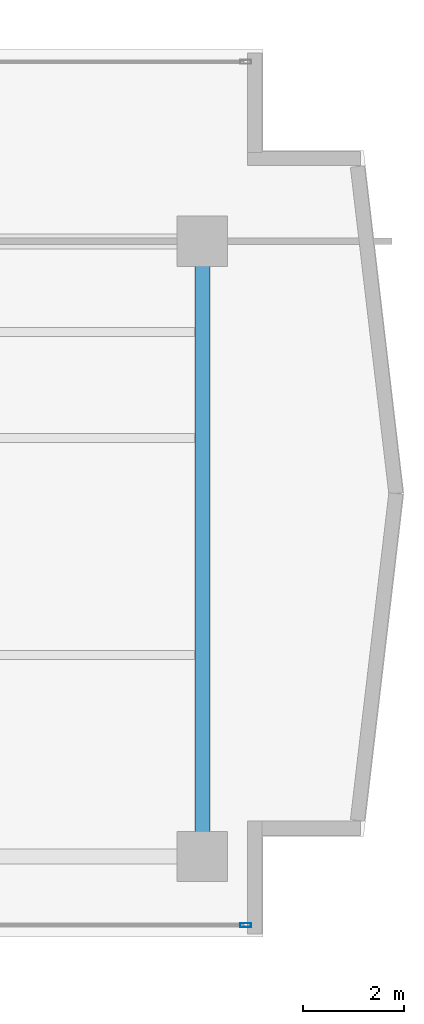
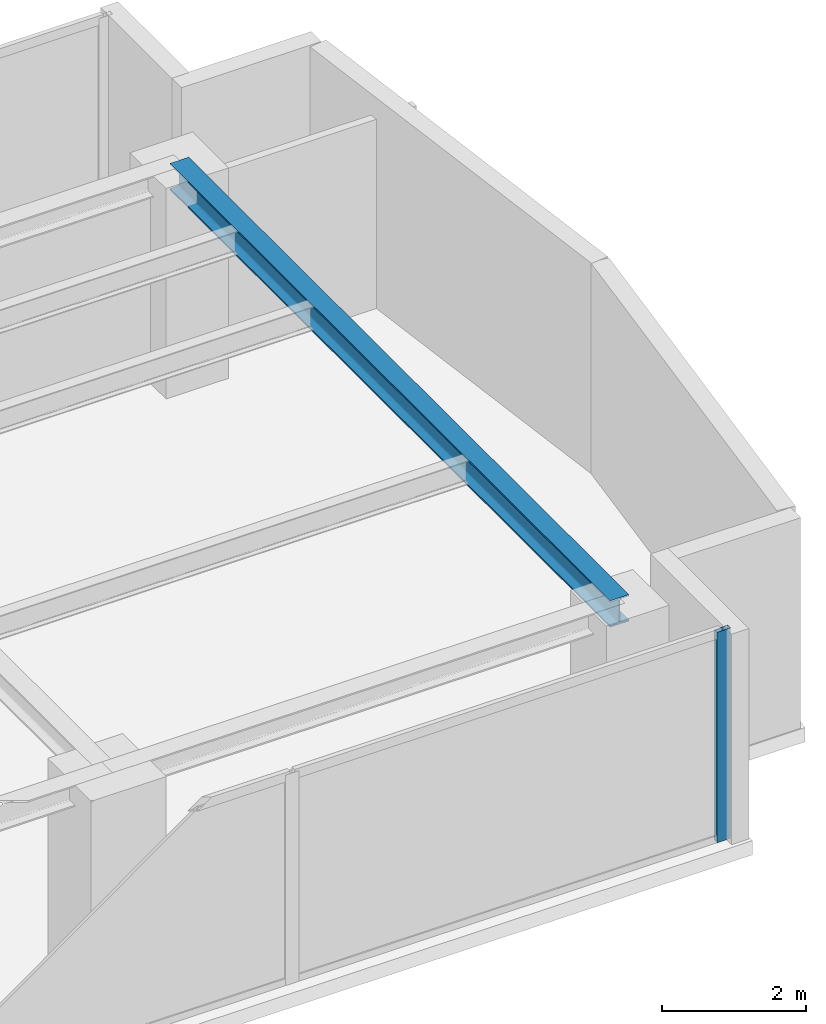
# One storey, part 13 of 27: 1 beam, 1 member, 1 element without a shape of its own.
"""IFC4 building model written with IfcOpenShell, lengths in metres."""

from ifc_helpers import new_model, si_unit, direction, frame, origin, origin_with_axes, origin_2d, place, context, subcontext, project, spatial, hollow_rectangle, i_section, extrude, source, transform, mapped, material, layer, layer_set, material_profile, profile_set, type_object, element, aggregate, save


model = new_model("IFC4")

# Units and contexts
model_context = context("Model", 3, precision=1e-05, world=origin(), true_north=direction((0.0, 1.0)))
body_context = subcontext(model_context, "Body", "Model", "MODEL_VIEW")
ifc_project = project(units=[si_unit("LENGTHUNIT", "METRE"), si_unit("AREAUNIT", "SQUARE_METRE"), si_unit("VOLUMEUNIT", "CUBIC_METRE"), si_unit("PLANEANGLEUNIT", "RADIAN"), si_unit("MASSUNIT", "GRAM", prefix="KILO")], contexts=[model_context])

# Site, building, storey
site_placement = place(None, origin())
site = spatial("IfcSite", under=ifc_project, at=site_placement, CompositionType="ELEMENT")
building_placement = place(site_placement, origin())
building = spatial("IfcBuilding", under=site, at=building_placement, Name="Kolvaren Waterfront Exchange", CompositionType="ELEMENT")
storey_placement = place(building_placement, frame((0.0, 0.0, 176.60009765625)))
storey = spatial("IfcBuildingStorey", under=building, at=storey_placement, Name="L45", CompositionType="ELEMENT", Elevation=176.60009765625)

# Beam
ifc_material_1 = material(Name="Steel S355", Category="steel")
ifc_material_profile_1 = material_profile(ifc_material_1, i_section(OverallWidth=0.300048828125, OverallDepth=0.449951171875, WebThickness=0.013916015625, FlangeThickness=0.02587890625, FilletRadius=0.027099609375, at=origin_2d()), Name="HEB450")
ifc_profile_set_1 = profile_set([ifc_material_profile_1], Name="Steel S355")
beam_type = type_object("IfcBeamType", Name="STR-BM-HEB450", PredefinedType="BEAM", material=ifc_profile_set_1)
beam_placement = place(storey_placement, frame((53.800048828125, 5.199951171875, 3.3349609375), z_axis=(0.0, 1.0, 0.0), x_axis=(-1.0, 0.0, 0.0)))
element("IfcBeam", 1, at=beam_placement, inside=storey, type_object=beam_type, Name="L45 east-arm transverse girder X53", PredefinedType="BEAM", context=body_context, shape_type="SweptSolid", body=[
    extrude(i_section(OverallWidth=0.300048828125, OverallDepth=0.449951171875, WebThickness=0.013916015625, FlangeThickness=0.02587890625, FilletRadius=0.027099609375, at=origin_2d()), origin(), (0.0, 0.0, 1.0), 12.199951171875),
])

# Curtain wall, member
ifc_material_2 = material(Name="Anodised bronze aluminium 6063-T6", Category="aluminium")
ifc_layer = layer(ifc_material_2, 0.219970703125, Name="Anodised bronze aluminium 6063-T6")
ifc_layer_set = layer_set([ifc_layer], Name="Anodised bronze aluminium 6063-T6")
curtain_wall_type = type_object("IfcCurtainWallType", Name="ARC-CW-SYS1", PredefinedType="USERDEFINED", material=ifc_layer_set)
curtain_wall_placement = place(storey_placement, origin())
curtain_wall = element("IfcCurtainWall", 2, at=curtain_wall_placement, inside=storey, type_object=curtain_wall_type, Name="L45 stick curtain wall CW1 (CW-L45-S)", ObjectType="STICK CURTAIN WALL", PredefinedType="USERDEFINED")
ifc_material_3 = material(Name="Anodised aluminium 6063-T6", Category="aluminium")
ifc_material_profile_2 = material_profile(ifc_material_3, hollow_rectangle(XDim=0.080078125, YDim=0.219970703125, WallThickness=0.0048828125, at=origin_2d()), Name="ALU-MUL-220x80x5")
ifc_profile_set_2 = profile_set([ifc_material_profile_2], Name="Anodised aluminium 6063-T6")
member_type = type_object("IfcMemberType", Name="ARC-CWM-220", PredefinedType="MULLION", material=ifc_profile_set_2)
shared_shape = source(origin_with_axes(), body_context, "Body", "SweptSolid", [
    extrude(hollow_rectangle(XDim=0.080078125, YDim=0.219970703125, WallThickness=0.0048828125, at=origin_2d()), origin(), (0.0, 0.0, 1.0), 3.559814453125),
])
member_placement = place(storey_placement, frame((54.659912109375, 3.840087890625, 0.0), z_axis=(0.0, 0.0, 1.0), x_axis=(0.0, 1.0, 0.0)))
member = element("IfcMember", 3, at=member_placement, type_object=member_type, Name="CW1 mullion 8", PredefinedType="MULLION", context=body_context, shape_type="MappedRepresentation", body=[
    mapped(shared_shape, transform((0.0, 0.0, 0.0), x_axis=(1.0, 0.0, 0.0), y_axis=(0.0, 1.0, 0.0), z_axis=(0.0, 0.0, 1.0), scale=1.0)),
])
aggregate(curtain_wall, [member])

save(model, "model.ifc")
